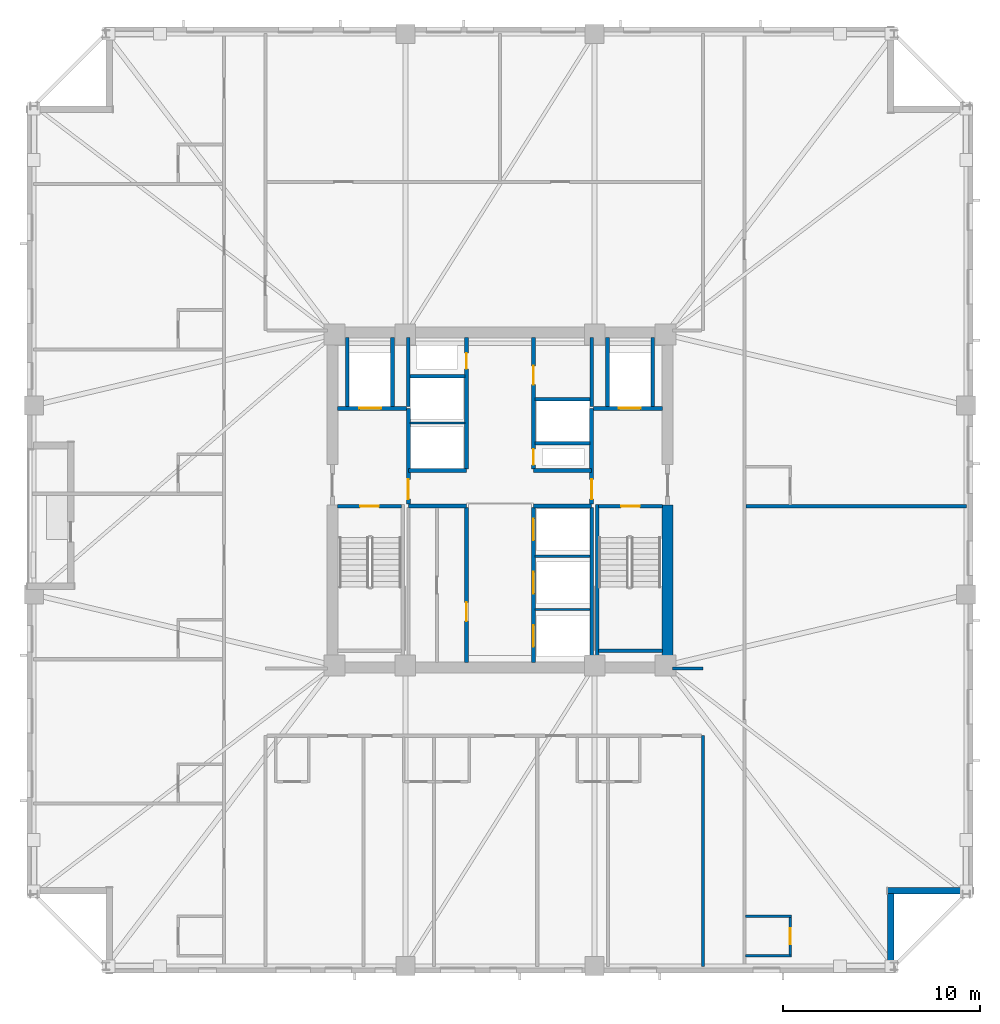
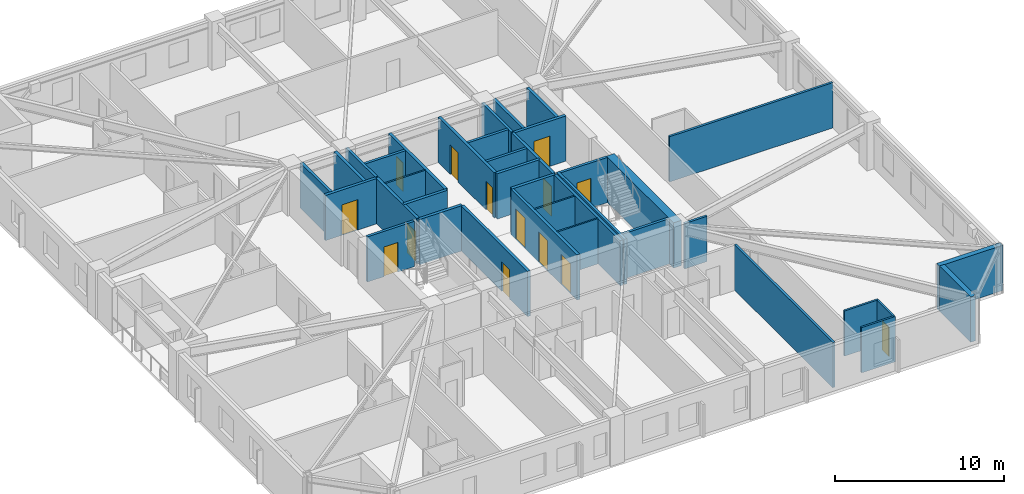
# One storey, part 4 of 11: 38 walls, 14 doors, 14 openings.
"""IFC4 building model written with IfcOpenShell, lengths in metres."""

from ifc_helpers import new_model, si_unit, direction, frame, frame_2d, origin, place, context, subcontext, project, spatial, rectangle, extrude, material, layer, layer_set, type_object, element, fill, save


model = new_model("IFC4")

# Units and contexts
model_context = context("Model", 3, precision=1e-05, world=origin(), true_north=direction((0.0, 1.0)))
body_context = subcontext(model_context, "Body", "Model", "MODEL_VIEW")
ifc_project = project(units=[si_unit("LENGTHUNIT", "METRE"), si_unit("AREAUNIT", "SQUARE_METRE"), si_unit("VOLUMEUNIT", "CUBIC_METRE"), si_unit("PLANEANGLEUNIT", "RADIAN"), si_unit("MASSUNIT", "GRAM", prefix="KILO")], contexts=[model_context])

# Site, building, storey
site_placement = place(None, origin())
site = spatial("IfcSite", under=ifc_project, at=site_placement, CompositionType="ELEMENT")
building_placement = place(site_placement, origin())
building = spatial("IfcBuilding", under=site, at=building_placement, Name="Cairnveth Concourse Tower", CompositionType="ELEMENT")
storey_placement = place(building_placement, frame((0.0, 0.0, 120.0)))
storey = spatial("IfcBuildingStorey", under=building, at=storey_placement, Name="L32", CompositionType="ELEMENT", Elevation=120.0)

# Walls
ifc_material_1 = material(Name="Gypsum Plasterboard Partition", Category="gypsum")
ifc_layer_1 = layer(ifc_material_1, 0.159912109375)
ifc_layer_set_1 = layer_set([ifc_layer_1], Name="Gypsum Plasterboard Partition")
wall_type_1 = type_object("IfcWallType", Name="ACOUSTIC PARTY WALL 180", PredefinedType="PARTITIONING", material=ifc_layer_set_1)
wall_1_placement = place(storey_placement, frame((62.300048828125, 15.324951171875, 0.0), z_axis=(0.0, 0.0, 1.0), x_axis=(0.0, 1.0, 0.0)))
element("IfcWall", 1, at=wall_1_placement, inside=storey, type_object=wall_type_1, Name="Interior Wall IW-L32-042", PredefinedType="PARTITIONING", context=body_context, shape_type="SweptSolid", body=[
    extrude(rectangle(XDim=11.715087890625, YDim=0.159912109375, at=frame_2d((5.857421875, 0.0))), origin(), (0.0, 0.0, 1.0), 3.280029296875),
])
wall_2_placement = place(storey_placement, frame((60.764892578125, 30.449951171875, 0.0), z_axis=(0.0, 0.0, 1.0), x_axis=(1.0, 0.0, 0.0)))
element("IfcWall", 2, at=wall_2_placement, inside=storey, type_object=wall_type_1, Name="Interior Wall IW-L32-044", PredefinedType="PARTITIONING", context=body_context, shape_type="SweptSolid", body=[
    extrude(rectangle(XDim=1.53515625, YDim=0.159912109375, at=frame_2d((0.767578125, 0.0))), origin(), (0.0, 0.0, 1.0), 3.280029296875),
])
wall_3_placement = place(storey_placement, frame((64.47998046875, 38.68310546875, 0.0), z_axis=(0.0, 0.0, 1.0), x_axis=(1.0, 0.0, 0.0)))
element("IfcWall", 3, at=wall_3_placement, inside=storey, type_object=wall_type_1, Name="Interior Wall IW-L32-085", PredefinedType="PARTITIONING", context=body_context, shape_type="SweptSolid", body=[
    extrude(rectangle(XDim=11.195068359375, YDim=0.159912109375, at=frame_2d((5.59765625, 0.0))), origin(), (0.0, 0.0, 1.0), 3.280029296875),
])
ifc_material_2 = material(Name="Concrete N80 (80 MPa)", Category="concrete")
ifc_layer_2 = layer(ifc_material_2, 0.550048828125)
ifc_layer_set_2 = layer_set([ifc_layer_2], Name="Concrete N80 (80 MPa)")
wall_type_2 = type_object("IfcWallType", Name="CORE SHEAR WALL 550", PredefinedType="SHEAR", material=ifc_layer_set_2)
wall_4_placement = place(storey_placement, frame((60.5, 30.764892578125, 0.0), z_axis=(0.0, 0.0, 1.0), x_axis=(0.0, 1.0, 0.0)))
element("IfcWall", 4, at=wall_4_placement, inside=storey, type_object=wall_type_2, Name="Core East Shear Wall S L32", PredefinedType="SHEAR", context=body_context, shape_type="SweptSolid", body=[
    extrude(rectangle(XDim=7.985107421875, YDim=0.550048828125, at=frame_2d((3.99267578125, 0.0))), origin(), (0.0, 0.0, 1.0), 3.280029296875),
])
ifc_material_3 = material(Name="Concrete N50 (50 MPa)", Category="concrete")
ifc_layer_3 = layer(ifc_material_3, 0.179931640625)
ifc_layer_set_3 = layer_set([ifc_layer_3], Name="Concrete N50 (50 MPa)")
wall_type_3 = type_object("IfcWallType", Name="FIRE SHAFT WALL 180", PredefinedType="SOLIDWALL", material=ifc_layer_set_3)
wall_5_placement = place(storey_placement, frame((56.64990234375, 30.760009765625, 0.0), z_axis=(0.0, 0.0, 1.0), x_axis=(0.0, 1.0, 0.0)))
element("IfcWall", 5, at=wall_5_placement, inside=storey, type_object=wall_type_3, Name="Interior Wall IW-L32-027", PredefinedType="SOLIDWALL", context=body_context, shape_type="SweptSolid", body=[
    extrude(rectangle(XDim=7.85498046875, YDim=0.179931640625, at=frame_2d((3.927490234375, 0.0))), origin(), (0.0, 0.0, 1.0), 3.280029296875),
])
wall_6_placement = place(storey_placement, frame((47.35009765625, 43.735107421875, 0.0), z_axis=(0.0, 0.0, 1.0), x_axis=(0.0, 1.0, 0.0)))
element("IfcWall", 6, at=wall_6_placement, inside=storey, type_object=wall_type_3, Name="Interior Wall IW-L32-030", PredefinedType="SOLIDWALL", context=body_context, shape_type="SweptSolid", body=[
    extrude(rectangle(XDim=3.5048828125, YDim=0.179931640625, at=frame_2d((1.75244140625, 0.0))), origin(), (0.0, 0.0, 1.0), 3.280029296875),
])
wall_7_placement = place(storey_placement, frame((47.425048828125, 45.280029296875, 0.0), z_axis=(0.0, 0.0, 1.0), x_axis=(1.0, 0.0, 0.0)))
element("IfcWall", 7, at=wall_7_placement, inside=storey, type_object=wall_type_3, Name="Interior Wall IW-L32-032", PredefinedType="SOLIDWALL", context=body_context, shape_type="SweptSolid", body=[
    extrude(rectangle(XDim=2.7900390625, YDim=0.179931640625, at=frame_2d((1.39501953125, 0.0))), origin(), (0.0, 0.0, 1.0), 3.280029296875),
])
wall_8_placement = place(storey_placement, frame((56.64990234375, 43.735107421875, 0.0), z_axis=(0.0, 0.0, 1.0), x_axis=(0.0, 1.0, 0.0)))
element("IfcWall", 8, at=wall_8_placement, inside=storey, type_object=wall_type_3, Name="Interior Wall IW-L32-033", PredefinedType="SOLIDWALL", context=body_context, shape_type="SweptSolid", body=[
    extrude(rectangle(XDim=3.5048828125, YDim=0.179931640625, at=frame_2d((1.75244140625, 0.0))), origin(), (0.0, 0.0, 1.0), 3.280029296875),
])
wall_9_placement = place(storey_placement, frame((53.784912109375, 41.8798828125, 0.0), z_axis=(0.0, 0.0, 1.0), x_axis=(1.0, 0.0, 0.0)))
element("IfcWall", 9, at=wall_9_placement, inside=storey, type_object=wall_type_3, Name="Interior Wall IW-L32-034", PredefinedType="SOLIDWALL", context=body_context, shape_type="SweptSolid", body=[
    extrude(rectangle(XDim=2.780029296875, YDim=0.179931640625, at=frame_2d((1.39013671875, 0.0))), origin(), (0.0, 0.0, 1.0), 3.280029296875),
])
wall_10_placement = place(storey_placement, frame((53.784912109375, 44.1201171875, 0.0), z_axis=(0.0, 0.0, 1.0), x_axis=(1.0, 0.0, 0.0)))
element("IfcWall", 10, at=wall_10_placement, inside=storey, type_object=wall_type_3, Name="Interior Wall IW-L32-035", PredefinedType="SOLIDWALL", context=body_context, shape_type="SweptSolid", body=[
    extrude(rectangle(XDim=2.7900390625, YDim=0.179931640625, at=frame_2d((1.39501953125, 0.0))), origin(), (0.0, 0.0, 1.0), 3.280029296875),
])

# Wall, opening, door
wall_11_placement = place(storey_placement, frame((43.764892578125, 38.68994140625, 0.0), z_axis=(0.0, 0.0, 1.0), x_axis=(1.0, 0.0, 0.0)))
wall_11 = element("IfcWall", 11, at=wall_11_placement, inside=storey, type_object=wall_type_3, Name="Stair ST-1 Shaft Wall NEAR L32", PredefinedType="SOLIDWALL", context=body_context, shape_type="SweptSolid", body=[
    extrude(rectangle(XDim=3.230224609375, YDim=0.179931640625, at=frame_2d((1.615234375, 0.0))), origin(), (0.0, 0.0, 1.0), 3.280029296875),
])
opening_1_placement = place(wall_11_placement, frame((1.139892578125, 0.0, 0.0)))
opening_1 = element("IfcOpeningElement", 12, at=opening_1_placement, cuts=wall_11, Name="Opening ID12", PredefinedType="OPENING", context=body_context, shape_type="SweptSolid", body=[
    extrude(rectangle(XDim=0.949951171875, YDim=2.14990234375, at=frame_2d((0.47509765625, 1.074951171875))), frame((0.0, 0.099853515625, 0.0), z_axis=(0.0, -1.0, 0.0), x_axis=(1.0, 0.0, 0.0)), (0.0, 0.0, 1.0), 0.199951171875),
])
ifc_material_4 = material(Name="Steel Grade 350", Category="steel")
door_type_1 = type_object("IfcDoorType", Name="FIRE STAIR DOOR 950X2150", OperationType="NOTDEFINED", PredefinedType="DOOR", material=ifc_material_4)
door_1_placement = place(opening_1_placement, origin())
door_1 = element("IfcDoor", 13, at=door_1_placement, inside=storey, type_object=door_type_1, Name="Stair ST-1 Fire Door L32", OperationType="SINGLE_SWING_LEFT", OverallHeight=2.14990234375, OverallWidth=0.949951171875, PredefinedType="DOOR", context=body_context, shape_type="SweptSolid", body=[
    extrude(rectangle(XDim=0.949951171875, YDim=2.14990234375, at=frame_2d((0.47509765625, 1.074951171875))), frame((0.0, 0.02490234375, 0.0), z_axis=(0.0, -1.0, 0.0), x_axis=(1.0, 0.0, 0.0)), (0.0, 0.0, 1.0), 0.050048828125),
])
fill(opening_1, door_1)

wall_12_placement = place(storey_placement, frame((57.0048828125, 38.68994140625, 0.0), z_axis=(0.0, 0.0, 1.0), x_axis=(1.0, 0.0, 0.0)))
wall_12 = element("IfcWall", 14, at=wall_12_placement, inside=storey, type_object=wall_type_3, Name="Stair ST-2 Shaft Wall NEAR L32", PredefinedType="SOLIDWALL", context=body_context, shape_type="SweptSolid", body=[
    extrude(rectangle(XDim=3.230224609375, YDim=0.179931640625, at=frame_2d((1.615234375, 0.0))), origin(), (0.0, 0.0, 1.0), 3.280029296875),
])
opening_2_placement = place(wall_12_placement, frame((1.139892578125, 0.0, 0.0)))
opening_2 = element("IfcOpeningElement", 15, at=opening_2_placement, cuts=wall_12, Name="Opening ID12", PredefinedType="OPENING", context=body_context, shape_type="SweptSolid", body=[
    extrude(rectangle(XDim=0.949951171875, YDim=2.14990234375, at=frame_2d((0.47509765625, 1.074951171875))), frame((0.0, 0.099853515625, 0.0), z_axis=(0.0, -1.0, 0.0), x_axis=(1.0, 0.0, 0.0)), (0.0, 0.0, 1.0), 0.199951171875),
])
door_2_placement = place(opening_2_placement, origin())
door_2 = element("IfcDoor", 16, at=door_2_placement, inside=storey, type_object=door_type_1, Name="Stair ST-2 Fire Door L32", OperationType="SINGLE_SWING_RIGHT", OverallHeight=2.14990234375, OverallWidth=0.949951171875, PredefinedType="DOOR", context=body_context, shape_type="SweptSolid", body=[
    extrude(rectangle(XDim=0.949951171875, YDim=2.14990234375, at=frame_2d((0.47509765625, 1.074951171875))), frame((0.0, 0.02490234375, 0.0), z_axis=(0.0, -1.0, 0.0), x_axis=(1.0, 0.0, 0.0)), (0.0, 0.0, 1.0), 0.050048828125),
])
fill(opening_2, door_2)

# Walls
wall_13_placement = place(storey_placement, frame((57.0048828125, 31.360107421875, 0.0), z_axis=(0.0, 0.0, 1.0), x_axis=(1.0, 0.0, 0.0)))
element("IfcWall", 17, at=wall_13_placement, inside=storey, type_object=wall_type_3, Name="Stair ST-2 Shaft Wall FAR L32", PredefinedType="SOLIDWALL", context=body_context, shape_type="SweptSolid", body=[
    extrude(rectangle(XDim=3.230224609375, YDim=0.179931640625, at=frame_2d((1.615234375, 0.0))), origin(), (0.0, 0.0, 1.0), 3.280029296875),
])
wall_14_placement = place(storey_placement, frame((56.929931640625, 38.780029296875, 0.0), z_axis=(0.0, 0.0, 1.0), x_axis=(0.0, -1.0, 0.0)))
element("IfcWall", 18, at=wall_14_placement, inside=storey, type_object=wall_type_3, Name="Stair ST-2 Shaft Wall LEFT L32", PredefinedType="SOLIDWALL", context=body_context, shape_type="SweptSolid", body=[
    extrude(rectangle(XDim=8.01708984375, YDim=0.179931640625, at=frame_2d((4.008544921875, 0.0))), origin(), (0.0, 0.0, 1.0), 3.280029296875),
])
ifc_layer_4 = layer(ifc_material_3, 0.199951171875)
ifc_layer_set_4 = layer_set([ifc_layer_4], Name="Concrete N50 (50 MPa)")
wall_type_4 = type_object("IfcWallType", Name="FIRE SHAFT WALL 200", PredefinedType="SOLIDWALL", material=ifc_layer_set_4)
for number, where, z_axis, x_axis, name in (
    (19, (47.35009765625, 38.699951171875, 0.0), (0.0, 0.0, 1.0), (1.0, 0.0, 0.0), "Interior Wall IW-L32-007"),
    (20, (47.35009765625, 40.5, 0.0), (0.0, 0.0, 1.0), (1.0, 0.0, 0.0), "Interior Wall IW-L32-008"),
    (21, (53.699951171875, 38.699951171875, 0.0), (0.0, 0.0, 1.0), (1.0, 0.0, 0.0), "Interior Wall IW-L32-009"),
    (22, (53.699951171875, 40.5, 0.0), (0.0, 0.0, 1.0), (1.0, 0.0, 0.0), "Interior Wall IW-L32-010"),
):
    element("IfcWall", number, at=place(storey_placement, frame(where, z_axis=z_axis, x_axis=x_axis)), inside=storey, type_object=wall_type_4, Name=name, PredefinedType="SOLIDWALL", context=body_context, shape_type="SweptSolid", body=[
        extrude(rectangle(XDim=2.949951171875, YDim=0.199951171875, at=frame_2d((1.47509765625, 0.0))), origin(), (0.0, 0.0, 1.0), 3.280029296875),
    ])

# Wall, opening, door
wall_15_placement = place(storey_placement, frame((50.300048828125, 30.760009765625, 0.0), z_axis=(0.0, 0.0, 1.0), x_axis=(0.0, 1.0, 0.0)))
wall_15 = element("IfcWall", 23, at=wall_15_placement, inside=storey, type_object=wall_type_4, Name="Interior Wall IW-L32-011", PredefinedType="SOLIDWALL", context=body_context, shape_type="SweptSolid", body=[
    extrude(rectangle(XDim=7.85498046875, YDim=0.199951171875, at=frame_2d((3.927490234375, 0.0))), origin(), (0.0, 0.0, 1.0), 3.280029296875),
])
opening_3_placement = place(wall_15_placement, frame((2.090087890625, 0.0, 0.0)))
opening_3 = element("IfcOpeningElement", 24, at=opening_3_placement, cuts=wall_15, Name="Opening ID25", PredefinedType="OPENING", context=body_context, shape_type="SweptSolid", body=[
    extrude(rectangle(XDim=0.949951171875, YDim=2.1201171875, at=frame_2d((0.47509765625, 1.06005859375))), frame((0.0, 0.10986328125, 0.0), z_axis=(0.0, -1.0, 0.0), x_axis=(1.0, 0.0, 0.0)), (0.0, 0.0, 1.0), 0.219970703125),
])
door_type_2 = type_object("IfcDoorType", Name="CORE ACCESSIBLE FIRE DOOR 950X2120", OperationType="NOTDEFINED", PredefinedType="DOOR", material=ifc_material_4)
door_3_placement = place(opening_3_placement, origin())
door_3 = element("IfcDoor", 25, at=door_3_placement, inside=storey, type_object=door_type_2, Name="Accessible WC Suite Door L32", OperationType="SINGLE_SWING_LEFT", OverallHeight=2.1201171875, OverallWidth=0.949951171875, PredefinedType="DOOR", context=body_context, shape_type="SweptSolid", body=[
    extrude(rectangle(XDim=0.949951171875, YDim=2.1201171875, at=frame_2d((0.47509765625, 1.06005859375))), frame((0.0, 0.02490234375, 0.0), z_axis=(0.0, -1.0, 0.0), x_axis=(1.0, 0.0, 0.0)), (0.0, 0.0, 1.0), 0.050048828125),
])
fill(opening_3, door_3)

# Wall, openings, doors
wall_16_placement = place(storey_placement, frame((53.699951171875, 30.760009765625, 0.0), z_axis=(0.0, 0.0, 1.0), x_axis=(0.0, 1.0, 0.0)))
wall_16 = element("IfcWall", 26, at=wall_16_placement, inside=storey, type_object=wall_type_4, Name="Interior Wall IW-L32-012", PredefinedType="SOLIDWALL", context=body_context, shape_type="SweptSolid", body=[
    extrude(rectangle(XDim=7.85498046875, YDim=0.199951171875, at=frame_2d((3.927490234375, 0.0))), origin(), (0.0, 0.0, 1.0), 3.280029296875),
])
opening_4_placement = place(wall_16_placement, frame((0.7900390625, 0.0, 0.0)))
opening_4 = element("IfcOpeningElement", 27, at=opening_4_placement, cuts=wall_16, Name="Opening LD-1", PredefinedType="OPENING", context=body_context, shape_type="SweptSolid", body=[
    extrude(rectangle(XDim=1.10009765625, YDim=2.199951171875, at=frame_2d((0.550048828125, 1.10009765625))), frame((0.0, 0.10986328125, 0.0), z_axis=(0.0, -1.0, 0.0), x_axis=(1.0, 0.0, 0.0)), (0.0, 0.0, 1.0), 0.219970703125),
])
opening_5_placement = place(wall_16_placement, frame((3.489990234375, 0.0, 0.0)))
opening_5 = element("IfcOpeningElement", 28, at=opening_5_placement, cuts=wall_16, Name="Opening LD-1", PredefinedType="OPENING", context=body_context, shape_type="SweptSolid", body=[
    extrude(rectangle(XDim=1.10009765625, YDim=2.199951171875, at=frame_2d((0.550048828125, 1.10009765625))), frame((0.0, 0.10986328125, 0.0), z_axis=(0.0, -1.0, 0.0), x_axis=(1.0, 0.0, 0.0)), (0.0, 0.0, 1.0), 0.219970703125),
])
opening_6_placement = place(wall_16_placement, frame((6.18994140625, 0.0, 0.0)))
opening_6 = element("IfcOpeningElement", 29, at=opening_6_placement, cuts=wall_16, Name="Opening LD-1", PredefinedType="OPENING", context=body_context, shape_type="SweptSolid", body=[
    extrude(rectangle(XDim=1.10009765625, YDim=2.199951171875, at=frame_2d((0.550048828125, 1.10009765625))), frame((0.0, 0.10986328125, 0.0), z_axis=(0.0, -1.0, 0.0), x_axis=(1.0, 0.0, 0.0)), (0.0, 0.0, 1.0), 0.219970703125),
])
ifc_material_5 = material(Name="Architectural Bronze Anodised Aluminium 6063-T6", Category="aluminium")
door_type_3 = type_object("IfcDoorType", Name="LIFT LANDING DOOR 1100X2200", OperationType="SLIDING_TO_LEFT", PredefinedType="DOOR", material=ifc_material_5)
door_4_placement = place(opening_4_placement, origin())
door_4 = element("IfcDoor", 30, at=door_4_placement, inside=storey, type_object=door_type_3, Name="Lift PL4 Landing Door L32", OperationType="SLIDING_TO_LEFT", OverallHeight=2.199951171875, OverallWidth=1.10009765625, PredefinedType="DOOR", context=body_context, shape_type="SweptSolid", body=[
    extrude(rectangle(XDim=1.10009765625, YDim=2.199951171875, at=frame_2d((0.550048828125, 1.10009765625))), frame((0.0, 0.02490234375, 0.0), z_axis=(0.0, -1.0, 0.0), x_axis=(1.0, 0.0, 0.0)), (0.0, 0.0, 1.0), 0.050048828125),
])
fill(opening_4, door_4)
door_5_placement = place(opening_5_placement, origin())
door_5 = element("IfcDoor", 31, at=door_5_placement, inside=storey, type_object=door_type_3, Name="Lift PL5 Landing Door L32", OperationType="SLIDING_TO_LEFT", OverallHeight=2.199951171875, OverallWidth=1.10009765625, PredefinedType="DOOR", context=body_context, shape_type="SweptSolid", body=[
    extrude(rectangle(XDim=1.10009765625, YDim=2.199951171875, at=frame_2d((0.550048828125, 1.10009765625))), frame((0.0, 0.02490234375, 0.0), z_axis=(0.0, -1.0, 0.0), x_axis=(1.0, 0.0, 0.0)), (0.0, 0.0, 1.0), 0.050048828125),
])
fill(opening_5, door_5)
door_6_placement = place(opening_6_placement, origin())
door_6 = element("IfcDoor", 32, at=door_6_placement, inside=storey, type_object=door_type_3, Name="Lift PL6 Landing Door L32", OperationType="SLIDING_TO_LEFT", OverallHeight=2.199951171875, OverallWidth=1.10009765625, PredefinedType="DOOR", context=body_context, shape_type="SweptSolid", body=[
    extrude(rectangle(XDim=1.10009765625, YDim=2.199951171875, at=frame_2d((0.550048828125, 1.10009765625))), frame((0.0, 0.02490234375, 0.0), z_axis=(0.0, -1.0, 0.0), x_axis=(1.0, 0.0, 0.0)), (0.0, 0.0, 1.0), 0.050048828125),
])
fill(opening_6, door_6)

# Wall, opening, door
wall_17_placement = place(storey_placement, frame((50.300048828125, 40.5849609375, 0.0), z_axis=(0.0, 0.0, 1.0), x_axis=(0.0, 1.0, 0.0)))
wall_17 = element("IfcWall", 33, at=wall_17_placement, inside=storey, type_object=wall_type_4, Name="Interior Wall IW-L32-013", PredefinedType="SOLIDWALL", context=body_context, shape_type="SweptSolid", body=[
    extrude(rectangle(XDim=6.655029296875, YDim=0.199951171875, at=frame_2d((3.32763671875, 0.0))), origin(), (0.0, 0.0, 1.0), 3.280029296875),
])
opening_7_placement = place(wall_17_placement, frame((5.06494140625, 0.0, 0.0)))
opening_7 = element("IfcOpeningElement", 34, at=opening_7_placement, cuts=wall_17, Name="Opening ID24", PredefinedType="OPENING", context=body_context, shape_type="SweptSolid", body=[
    extrude(rectangle(XDim=0.800048828125, YDim=2.080078125, at=frame_2d((0.39990234375, 1.0400390625))), frame((0.0, 0.10986328125, 0.0), z_axis=(0.0, -1.0, 0.0), x_axis=(1.0, 0.0, 0.0)), (0.0, 0.0, 1.0), 0.219970703125),
])
door_type_4 = type_object("IfcDoorType", Name="RISER ACCESS DOOR 800X2100", OperationType="NOTDEFINED", PredefinedType="DOOR", material=ifc_material_4)
door_7_placement = place(opening_7_placement, origin())
door_7 = element("IfcDoor", 35, at=door_7_placement, inside=storey, type_object=door_type_4, Name="NW Electrical Riser Access Door L32", OperationType="SINGLE_SWING_RIGHT", OverallHeight=2.080078125, OverallWidth=0.800048828125, PredefinedType="DOOR", context=body_context, shape_type="SweptSolid", body=[
    extrude(rectangle(XDim=0.800048828125, YDim=2.080078125, at=frame_2d((0.39990234375, 1.0400390625))), frame((0.0, 0.02490234375, 0.0), z_axis=(0.0, -1.0, 0.0), x_axis=(1.0, 0.0, 0.0)), (0.0, 0.0, 1.0), 0.050048828125),
])
fill(opening_7, door_7)

# Wall, openings, doors
wall_18_placement = place(storey_placement, frame((53.699951171875, 40.5849609375, 0.0), z_axis=(0.0, 0.0, 1.0), x_axis=(0.0, 1.0, 0.0)))
wall_18 = element("IfcWall", 36, at=wall_18_placement, inside=storey, type_object=wall_type_4, Name="Interior Wall IW-L32-014", PredefinedType="SOLIDWALL", context=body_context, shape_type="SweptSolid", body=[
    extrude(rectangle(XDim=6.655029296875, YDim=0.199951171875, at=frame_2d((3.32763671875, 0.0))), origin(), (0.0, 0.0, 1.0), 3.280029296875),
])
opening_8_placement = place(wall_18_placement, frame((0.195068359375, 0.0, 0.0)))
opening_8 = element("IfcOpeningElement", 37, at=opening_8_placement, cuts=wall_18, Name="Opening ID24", PredefinedType="OPENING", context=body_context, shape_type="SweptSolid", body=[
    extrude(rectangle(XDim=0.800048828125, YDim=2.080078125, at=frame_2d((0.39990234375, 1.0400390625))), frame((0.0, 0.10986328125, 0.0), z_axis=(0.0, -1.0, 0.0), x_axis=(1.0, 0.0, 0.0)), (0.0, 0.0, 1.0), 0.219970703125),
])
opening_9_placement = place(wall_18_placement, frame((4.264892578125, 0.0, 0.0)))
opening_9 = element("IfcOpeningElement", 38, at=opening_9_placement, cuts=wall_18, Name="Opening ID25", PredefinedType="OPENING", context=body_context, shape_type="SweptSolid", body=[
    extrude(rectangle(XDim=0.949951171875, YDim=2.1201171875, at=frame_2d((0.47509765625, 1.06005859375))), frame((0.0, 0.10986328125, 0.0), z_axis=(0.0, -1.0, 0.0), x_axis=(1.0, 0.0, 0.0)), (0.0, 0.0, 1.0), 0.219970703125),
])
door_8_placement = place(opening_9_placement, origin())
door_8 = element("IfcDoor", 39, at=door_8_placement, inside=storey, type_object=door_type_2, Name="Core NE Accessible WC Door L32", OperationType="SINGLE_SWING_RIGHT", OverallHeight=2.1201171875, OverallWidth=0.949951171875, PredefinedType="DOOR", context=body_context, shape_type="SweptSolid", body=[
    extrude(rectangle(XDim=0.949951171875, YDim=2.1201171875, at=frame_2d((0.47509765625, 1.06005859375))), frame((0.0, 0.02490234375, 0.0), z_axis=(0.0, -1.0, 0.0), x_axis=(1.0, 0.0, 0.0)), (0.0, 0.0, 1.0), 0.050048828125),
])
fill(opening_9, door_8)
door_9_placement = place(opening_8_placement, origin())
door_9 = element("IfcDoor", 40, at=door_9_placement, inside=storey, type_object=door_type_4, Name="Hydraulic Riser Door L32", OperationType="SINGLE_SWING_LEFT", OverallHeight=2.080078125, OverallWidth=0.800048828125, PredefinedType="DOOR", context=body_context, shape_type="SweptSolid", body=[
    extrude(rectangle(XDim=0.800048828125, YDim=2.080078125, at=frame_2d((0.39990234375, 1.0400390625))), frame((0.0, 0.02490234375, 0.0), z_axis=(0.0, -1.0, 0.0), x_axis=(1.0, 0.0, 0.0)), (0.0, 0.0, 1.0), 0.050048828125),
])
fill(opening_8, door_9)

# Wall, opening, door
wall_19_placement = place(storey_placement, frame((47.35009765625, 38.784912109375, 0.0), z_axis=(0.0, 0.0, 1.0), x_axis=(0.0, 1.0, 0.0)))
wall_19 = element("IfcWall", 41, at=wall_19_placement, inside=storey, type_object=wall_type_4, Name="Interior Wall IW-L32-016", PredefinedType="SOLIDWALL", context=body_context, shape_type="SweptSolid", body=[
    extrude(rectangle(XDim=4.864990234375, YDim=0.199951171875, at=frame_2d((2.4326171875, 0.0))), origin(), (0.0, 0.0, 1.0), 3.280029296875),
])
opening_10_placement = place(wall_19_placement, frame((0.264892578125, 0.0, 0.0)))
opening_10 = element("IfcOpeningElement", 42, at=opening_10_placement, cuts=wall_19, Name="Opening ID07", PredefinedType="OPENING", context=body_context, shape_type="SweptSolid", body=[
    extrude(rectangle(XDim=1.0, YDim=2.14990234375, at=frame_2d((0.5, 1.074951171875))), frame((0.0, 0.10986328125, 0.0), z_axis=(0.0, -1.0, 0.0), x_axis=(1.0, 0.0, 0.0)), (0.0, 0.0, 1.0), 0.219970703125),
])
door_type_5 = type_object("IfcDoorType", Name="FIRE CORRIDOR DOOR 1000X2150", OperationType="NOTDEFINED", PredefinedType="DOOR", material=ifc_material_4)
door_10_placement = place(opening_10_placement, origin())
door_10 = element("IfcDoor", 43, at=door_10_placement, inside=storey, type_object=door_type_5, Name="FF Lobby West to Lift Lobby Door L32", OperationType="SINGLE_SWING_RIGHT", OverallHeight=2.14990234375, OverallWidth=1.0, PredefinedType="DOOR", context=body_context, shape_type="SweptSolid", body=[
    extrude(rectangle(XDim=1.0, YDim=2.14990234375, at=frame_2d((0.5, 1.074951171875))), frame((0.0, 0.02490234375, 0.0), z_axis=(0.0, -1.0, 0.0), x_axis=(1.0, 0.0, 0.0)), (0.0, 0.0, 1.0), 0.050048828125),
])
fill(opening_10, door_10)

wall_20_placement = place(storey_placement, frame((43.760009765625, 43.64990234375, 0.0), z_axis=(0.0, 0.0, 1.0), x_axis=(1.0, 0.0, 0.0)))
wall_20 = element("IfcWall", 44, at=wall_20_placement, inside=storey, type_object=wall_type_4, Name="Interior Wall IW-L32-017", PredefinedType="SOLIDWALL", context=body_context, shape_type="SweptSolid", body=[
    extrude(rectangle(XDim=3.5048828125, YDim=0.199951171875, at=frame_2d((1.75244140625, 0.0))), origin(), (0.0, 0.0, 1.0), 3.280029296875),
])
opening_11_placement = place(wall_20_placement, frame((1.110107421875, 0.0, 0.0)))
opening_11 = element("IfcOpeningElement", 45, at=opening_11_placement, cuts=wall_20, Name="Opening LD-1", PredefinedType="OPENING", context=body_context, shape_type="SweptSolid", body=[
    extrude(rectangle(XDim=1.10009765625, YDim=2.199951171875, at=frame_2d((0.550048828125, 1.10009765625))), frame((0.0, 0.10986328125, 0.0), z_axis=(0.0, -1.0, 0.0), x_axis=(1.0, 0.0, 0.0)), (0.0, 0.0, 1.0), 0.219970703125),
])
door_11_placement = place(opening_11_placement, origin())
door_11 = element("IfcDoor", 46, at=door_11_placement, inside=storey, type_object=door_type_3, Name="Lift FFL1 Landing Door L32", OperationType="SLIDING_TO_LEFT", OverallHeight=2.199951171875, OverallWidth=1.10009765625, PredefinedType="DOOR", context=body_context, shape_type="SweptSolid", body=[
    extrude(rectangle(XDim=1.10009765625, YDim=2.199951171875, at=frame_2d((0.550048828125, 1.10009765625))), frame((0.0, 0.02490234375, 0.0), z_axis=(0.0, -1.0, 0.0), x_axis=(1.0, 0.0, 0.0)), (0.0, 0.0, 1.0), 0.050048828125),
])
fill(opening_11, door_11)

# Walls
for number, where, z_axis, x_axis, name in (
    (47, (46.550048828125, 43.735107421875, 0.0), (0.0, 0.0, 1.0), (0.0, 1.0, 0.0), "Interior Wall IW-L32-018"),
    (48, (44.25, 43.735107421875, 0.0), (0.0, 0.0, 1.0), (0.0, 1.0, 0.0), "Interior Wall IW-L32-019"),
):
    element("IfcWall", number, at=place(storey_placement, frame(where, z_axis=z_axis, x_axis=x_axis)), inside=storey, type_object=wall_type_4, Name=name, PredefinedType="SOLIDWALL", context=body_context, shape_type="SweptSolid", body=[
        extrude(rectangle(XDim=3.5048828125, YDim=0.199951171875, at=frame_2d((1.75244140625, 0.0))), origin(), (0.0, 0.0, 1.0), 3.280029296875),
    ])

# Wall, opening, door
wall_21_placement = place(storey_placement, frame((56.64990234375, 38.784912109375, 0.0), z_axis=(0.0, 0.0, 1.0), x_axis=(0.0, 1.0, 0.0)))
wall_21 = element("IfcWall", 49, at=wall_21_placement, inside=storey, type_object=wall_type_4, Name="Interior Wall IW-L32-021", PredefinedType="SOLIDWALL", context=body_context, shape_type="SweptSolid", body=[
    extrude(rectangle(XDim=4.864990234375, YDim=0.199951171875, at=frame_2d((2.4326171875, 0.0))), origin(), (0.0, 0.0, 1.0), 3.280029296875),
])
opening_12_placement = place(wall_21_placement, frame((0.264892578125, 0.0, 0.0)))
opening_12 = element("IfcOpeningElement", 50, at=opening_12_placement, cuts=wall_21, Name="Opening ID07", PredefinedType="OPENING", context=body_context, shape_type="SweptSolid", body=[
    extrude(rectangle(XDim=1.0, YDim=2.14990234375, at=frame_2d((0.5, 1.074951171875))), frame((0.0, 0.10986328125, 0.0), z_axis=(0.0, -1.0, 0.0), x_axis=(1.0, 0.0, 0.0)), (0.0, 0.0, 1.0), 0.219970703125),
])
door_12_placement = place(opening_12_placement, origin())
door_12 = element("IfcDoor", 51, at=door_12_placement, inside=storey, type_object=door_type_5, Name="FF Lobby East to Lift Lobby Door L32", OperationType="SINGLE_SWING_LEFT", OverallHeight=2.14990234375, OverallWidth=1.0, PredefinedType="DOOR", context=body_context, shape_type="SweptSolid", body=[
    extrude(rectangle(XDim=1.0, YDim=2.14990234375, at=frame_2d((0.5, 1.074951171875))), frame((0.0, 0.02490234375, 0.0), z_axis=(0.0, -1.0, 0.0), x_axis=(1.0, 0.0, 0.0)), (0.0, 0.0, 1.0), 0.050048828125),
])
fill(opening_12, door_12)

wall_22_placement = place(storey_placement, frame((56.735107421875, 43.64990234375, 0.0), z_axis=(0.0, 0.0, 1.0), x_axis=(1.0, 0.0, 0.0)))
wall_22 = element("IfcWall", 52, at=wall_22_placement, inside=storey, type_object=wall_type_4, Name="Interior Wall IW-L32-022", PredefinedType="SOLIDWALL", context=body_context, shape_type="SweptSolid", body=[
    extrude(rectangle(XDim=3.5048828125, YDim=0.199951171875, at=frame_2d((1.75244140625, 0.0))), origin(), (0.0, 0.0, 1.0), 3.280029296875),
])
opening_13_placement = place(wall_22_placement, frame((1.294921875, 0.0, 0.0)))
opening_13 = element("IfcOpeningElement", 53, at=opening_13_placement, cuts=wall_22, Name="Opening LD-1", PredefinedType="OPENING", context=body_context, shape_type="SweptSolid", body=[
    extrude(rectangle(XDim=1.10009765625, YDim=2.199951171875, at=frame_2d((0.550048828125, 1.10009765625))), frame((0.0, 0.10986328125, 0.0), z_axis=(0.0, -1.0, 0.0), x_axis=(1.0, 0.0, 0.0)), (0.0, 0.0, 1.0), 0.219970703125),
])
door_13_placement = place(opening_13_placement, origin())
door_13 = element("IfcDoor", 54, at=door_13_placement, inside=storey, type_object=door_type_3, Name="Lift FFL2 Landing Door L32", OperationType="SLIDING_TO_LEFT", OverallHeight=2.199951171875, OverallWidth=1.10009765625, PredefinedType="DOOR", context=body_context, shape_type="SweptSolid", body=[
    extrude(rectangle(XDim=1.10009765625, YDim=2.199951171875, at=frame_2d((0.550048828125, 1.10009765625))), frame((0.0, 0.02490234375, 0.0), z_axis=(0.0, -1.0, 0.0), x_axis=(1.0, 0.0, 0.0)), (0.0, 0.0, 1.0), 0.050048828125),
])
fill(opening_13, door_13)

# Walls
for number, where, z_axis, x_axis, name in (
    (55, (57.449951171875, 43.735107421875, 0.0), (0.0, 0.0, 1.0), (0.0, 1.0, 0.0), "Interior Wall IW-L32-023"),
    (56, (59.75, 43.735107421875, 0.0), (0.0, 0.0, 1.0), (0.0, 1.0, 0.0), "Interior Wall IW-L32-024"),
):
    element("IfcWall", number, at=place(storey_placement, frame(where, z_axis=z_axis, x_axis=x_axis)), inside=storey, type_object=wall_type_4, Name=name, PredefinedType="SOLIDWALL", context=body_context, shape_type="SweptSolid", body=[
        extrude(rectangle(XDim=3.5048828125, YDim=0.199951171875, at=frame_2d((1.75244140625, 0.0))), origin(), (0.0, 0.0, 1.0), 3.280029296875),
    ])
ifc_layer_5 = layer(ifc_material_1, 0.110107421875)
ifc_layer_set_5 = layer_set([ifc_layer_5], Name="Gypsum Plasterboard Partition")
wall_type_5 = type_object("IfcWallType", Name="SHAFT DIVIDER WALL 140", PredefinedType="PARTITIONING", material=ifc_layer_set_5)
for number, where, z_axis, x_axis, name in (
    (57, (53.784912109375, 33.449951171875, 0.0), (0.0, 0.0, 1.0), (1.0, 0.0, 0.0), "Interior Wall IW-L32-028"),
    (58, (53.784912109375, 36.14990234375, 0.0), (0.0, 0.0, 1.0), (1.0, 0.0, 0.0), "Interior Wall IW-L32-029"),
):
    element("IfcWall", number, at=place(storey_placement, frame(where, z_axis=z_axis, x_axis=x_axis)), inside=storey, type_object=wall_type_5, Name=name, PredefinedType="PARTITIONING", context=body_context, shape_type="SweptSolid", body=[
        extrude(rectangle(XDim=2.7900390625, YDim=0.110107421875, at=frame_2d((1.39501953125, 0.0))), origin(), (0.0, 0.0, 1.0), 3.280029296875),
    ])
wall_23_placement = place(storey_placement, frame((47.43505859375, 42.89990234375, 0.0), z_axis=(0.0, 0.0, 1.0), x_axis=(1.0, 0.0, 0.0)))
element("IfcWall", 59, at=wall_23_placement, inside=storey, type_object=wall_type_5, Name="Interior Wall IW-L32-031", PredefinedType="PARTITIONING", context=body_context, shape_type="SweptSolid", body=[
    extrude(rectangle(XDim=2.780029296875, YDim=0.110107421875, at=frame_2d((1.39013671875, 0.0))), origin(), (0.0, 0.0, 1.0), 3.280029296875),
])
ifc_layer_6 = layer(ifc_material_1, 0.1298828125)
ifc_layer_set_6 = layer_set([ifc_layer_6], Name="Gypsum Plasterboard Partition")
wall_type_6 = type_object("IfcWallType", Name="WET AREA PARTITION 140", PredefinedType="PLUMBINGWALL", material=ifc_layer_set_6)
for number, where, z_axis, x_axis, name in (
    (60, (64.465087890625, 15.8701171875, 0.0), (0.0, 0.0, 1.0), (1.0, 0.0, 0.0), "Interior Wall IW-L32-082"),
    (61, (64.465087890625, 17.8701171875, 0.0), (0.0, 0.0, 1.0), (1.0, 0.0, 0.0), "Interior Wall IW-L32-083"),
):
    element("IfcWall", number, at=place(storey_placement, frame(where, z_axis=z_axis, x_axis=x_axis)), inside=storey, type_object=wall_type_6, Name=name, PredefinedType="PLUMBINGWALL", context=body_context, shape_type="SweptSolid", body=[
        extrude(rectangle(XDim=2.31494140625, YDim=0.1298828125, at=frame_2d((1.157470703125, 0.0))), origin(), (0.0, 0.0, 1.0), 3.280029296875),
    ])

# Wall, opening, door
wall_24_placement = place(storey_placement, frame((66.72998046875, 15.919921875, 0.0), z_axis=(0.0, 0.0, 1.0), x_axis=(0.0, 1.0, 0.0)))
wall_24 = element("IfcWall", 62, at=wall_24_placement, inside=storey, type_object=wall_type_6, Name="Interior Wall IW-L32-084", PredefinedType="PLUMBINGWALL", context=body_context, shape_type="SweptSolid", body=[
    extrude(rectangle(XDim=1.900146484375, YDim=0.1298828125, at=frame_2d((0.9501953125, 0.0))), origin(), (0.0, 0.0, 1.0), 3.280029296875),
])
opening_14_placement = place(wall_24_placement, frame((0.5400390625, 0.0, 0.0)))
opening_14 = element("IfcOpeningElement", 63, at=opening_14_placement, cuts=wall_24, Name="Opening ID22", PredefinedType="OPENING", context=body_context, shape_type="SweptSolid", body=[
    extrude(rectangle(XDim=0.820068359375, YDim=2.10009765625, at=frame_2d((0.41015625, 1.050048828125))), frame((0.0, 0.074951171875, 0.0), z_axis=(0.0, -1.0, 0.0), x_axis=(1.0, 0.0, 0.0)), (0.0, 0.0, 1.0), 0.14990234375),
])
ifc_material_6 = material(Name="Solid Core Hardwood Timber Leaf", Category="wood")
door_type_6 = type_object("IfcDoorType", Name="INTERIOR WC DOOR 820X2100", OperationType="NOTDEFINED", PredefinedType="DOOR", material=ifc_material_6)
door_14_placement = place(opening_14_placement, origin())
door_14 = element("IfcDoor", 64, at=door_14_placement, inside=storey, type_object=door_type_6, Name="En-Suite Door L32-E1", OperationType="SINGLE_SWING_RIGHT", OverallHeight=2.10009765625, OverallWidth=0.820068359375, PredefinedType="DOOR", context=body_context, shape_type="SweptSolid", body=[
    extrude(rectangle(XDim=0.820068359375, YDim=2.10009765625, at=frame_2d((0.41015625, 1.050048828125))), frame((0.0, 0.02490234375, 0.0), z_axis=(0.0, -1.0, 0.0), x_axis=(1.0, 0.0, 0.0)), (0.0, 0.0, 1.0), 0.050048828125),
])
fill(opening_14, door_14)

# Walls
ifc_material_7 = material(Name="Hawthorn Red-Ochre Fired Clay Brick Masonry", Category="masonry")
ifc_layer_7 = layer(ifc_material_7, 0.340087890625)
ifc_layer_set_7 = layer_set([ifc_layer_7], Name="Hawthorn Red-Ochre Fired Clay Brick Masonry")
wall_type_7 = type_object("IfcWallType", Name="ZONE 2 BRICK PIER SPANDREL WALL 340", PredefinedType="SOLIDWALL", material=ifc_layer_set_7)
wall_25_placement = place(storey_placement, frame((76.0, 19.169921875, 0.0), z_axis=(0.0, 0.0, 1.0), x_axis=(-1.0, 0.0, 0.0)))
element("IfcWall", 65, at=wall_25_placement, inside=storey, type_object=wall_type_7, Name="Exterior Wall EW-L32-S07", PredefinedType="SOLIDWALL", context=body_context, shape_type="SweptSolid", body=[
    extrude(rectangle(XDim=4.340087890625, YDim=0.340087890625, at=frame_2d((2.169921875, 0.0))), origin(), (0.0, 0.0, 1.0), 3.280029296875),
])
wall_26_placement = place(storey_placement, frame((71.830078125, 19.02197265625, 0.0), z_axis=(0.0, 0.0, 1.0), x_axis=(0.0, -1.0, 0.0)))
element("IfcWall", 66, at=wall_26_placement, inside=storey, type_object=wall_type_7, Name="Exterior Wall EW-L32-S08", PredefinedType="SOLIDWALL", context=body_context, shape_type="SweptSolid", body=[
    extrude(rectangle(XDim=3.703857421875, YDim=0.340087890625, at=frame_2d((1.85205078125, 0.0))), origin(), (0.0, 0.0, 1.0), 3.280029296875),
])

save(model, "model.ifc")
